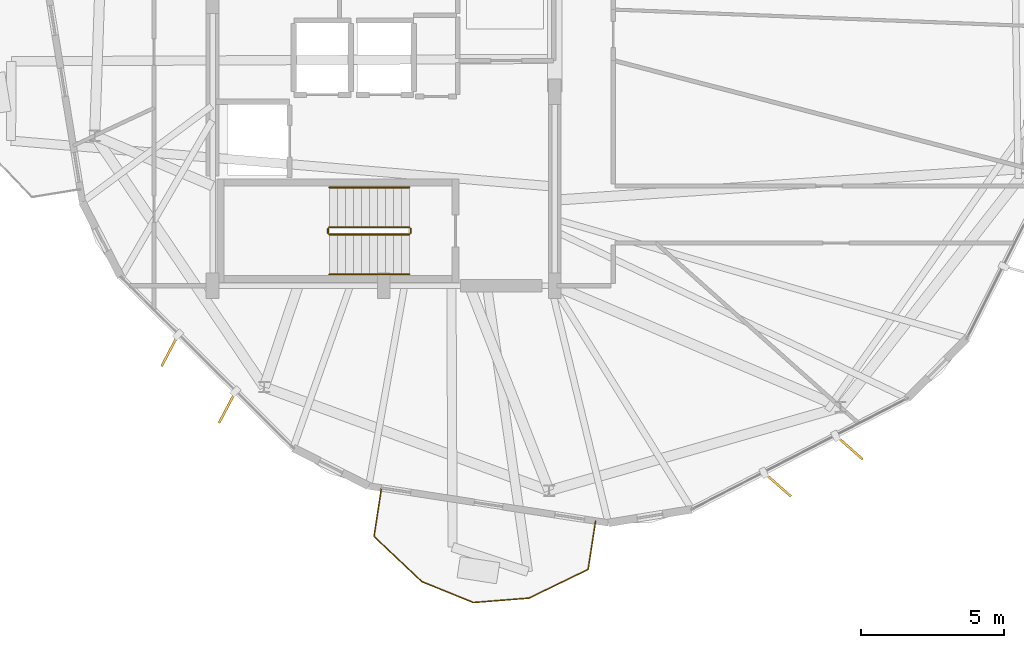
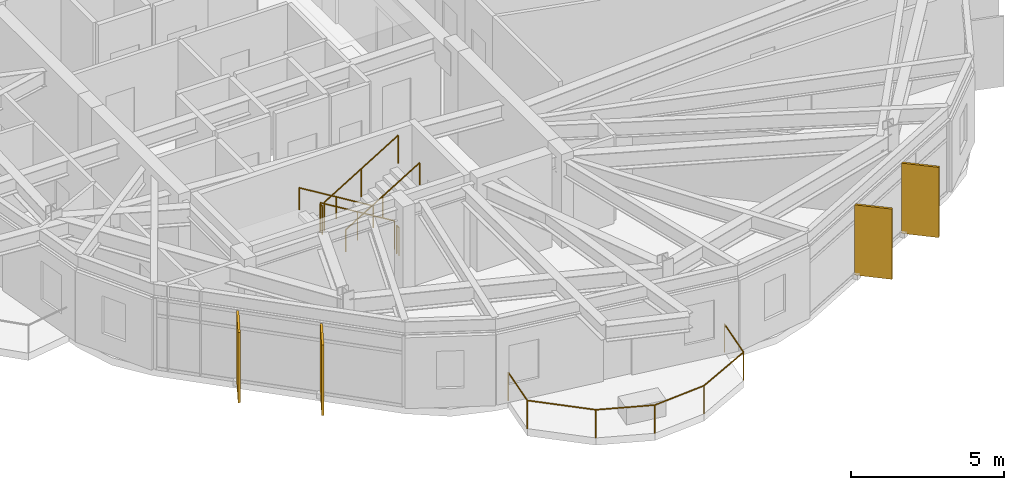
# One storey, part 20 of 22: 7 railings, 4 shading devices.
"""IFC4 building model written with IfcOpenShell, lengths in metres."""

from ifc_helpers import new_model, si_unit, direction, frame, origin, origin_2d, place, context, subcontext, project, spatial, rectangle, circle, extrude, material, layer, layer_set, type_object, element, save


model = new_model("IFC4")

# Units and contexts
model_context = context("Model", 3, precision=1e-05, world=origin(), true_north=direction((0.0, 1.0)))
body_context = subcontext(model_context, "Body", "Model", "MODEL_VIEW")
ifc_project = project(units=[si_unit("LENGTHUNIT", "METRE"), si_unit("AREAUNIT", "SQUARE_METRE"), si_unit("VOLUMEUNIT", "CUBIC_METRE"), si_unit("PLANEANGLEUNIT", "RADIAN"), si_unit("MASSUNIT", "GRAM", prefix="KILO")], contexts=[model_context])

# Site, building, storey
site_placement = place(None, origin())
site = spatial("IfcSite", under=ifc_project, at=site_placement, CompositionType="ELEMENT")
building_placement = place(site_placement, origin())
building = spatial("IfcBuilding", under=site, at=building_placement, Name="Soratama Intermodal Tower", CompositionType="ELEMENT")
storey_placement = place(building_placement, frame((0.0, 0.0, 265.0)))
storey = spatial("IfcBuildingStorey", under=building, at=storey_placement, Name="L67", CompositionType="ELEMENT", Elevation=265.0)

# Railings
ifc_material_1 = material(Name="Laminated glass and stainless steel balustrade", Category="steel")
railing_type_1 = type_object("IfcRailingType", Name="RL-BAL-1150", PredefinedType="BALUSTRADE", material=ifc_material_1)
railing_1_placement = place(storey_placement, frame((46.032470703125, 6.75, 0.0)))
element("IfcRailing", 1, at=railing_1_placement, inside=storey, type_object=railing_type_1, Name="L67 Balcony Balustrade 3", PredefinedType="BALUSTRADE", context=body_context, shape_type="SweptSolid", body=[
    extrude(circle(Radius=0.02392578125, at=origin_2d()), frame((0.0, 0.0, 1.1259765625), z_axis=(-0.152302499252, -0.988333925716, 0.0), x_axis=(0.988333925716, -0.152302499252, 0.0)), (0.0, 0.0, 1.0), 1.719970703125),
    extrude(circle(Radius=0.02392578125, at=origin_2d()), frame((-0.261962890625, -1.699951171875, 1.1259765625), z_axis=(-0.899962520615, -0.435967271122, 0.0), x_axis=(0.435967271122, -0.899962520615, 0.0)), (0.0, 0.0, 1.0), 2.308349609375),
    extrude(circle(Radius=0.02392578125, at=origin_2d()), frame((-2.33935546875, -2.706298828125, 1.1259765625), z_axis=(-0.996871495553, -0.07903936585, 0.0), x_axis=(0.07903936585, -0.996871495553, 0.0)), (0.0, 0.0, 1.0), 1.9521484375),
    extrude(circle(Radius=0.02392578125, at=origin_2d()), frame((-4.285400390625, -2.860595703125, 1.1259765625), z_axis=(-0.926820438394, 0.375504826834, 0.0), x_axis=(-0.375504826834, -0.926820438394, 0.0)), (0.0, 0.0, 1.0), 1.952392578125),
    extrude(circle(Radius=0.02392578125, at=origin_2d()), frame((-6.094970703125, -2.12744140625, 1.1259765625), z_axis=(-0.726969151395, 0.686670119432, 0.0), x_axis=(-0.686670119432, -0.726969151395, 0.0)), (0.0, 0.0, 1.0), 2.30810546875),
    extrude(circle(Radius=0.02392578125, at=origin_2d()), frame((-7.77294921875, -0.54248046875, 1.1259765625), z_axis=(0.152302499252, 0.988333925716, 0.0), x_axis=(-0.988333925716, 0.152302499252, 0.0)), (0.0, 0.0, 1.0), 1.719970703125),
    extrude(circle(Radius=0.02099609375, at=origin_2d()), origin(), (0.0, 0.0, 1.0), 1.101806640625),
    extrude(circle(Radius=0.02099609375, at=origin_2d()), frame((-0.261962890625, -1.699951171875, 0.0)), (0.0, 0.0, 1.0), 1.101806640625),
    extrude(circle(Radius=0.02099609375, at=origin_2d()), frame((-2.33935546875, -2.706298828125, 0.0)), (0.0, 0.0, 1.0), 1.101806640625),
    extrude(circle(Radius=0.02099609375, at=origin_2d()), frame((-4.285400390625, -2.860595703125, 0.0)), (0.0, 0.0, 1.0), 1.101806640625),
    extrude(circle(Radius=0.02099609375, at=origin_2d()), frame((-6.094970703125, -2.12744140625, 0.0)), (0.0, 0.0, 1.0), 1.101806640625),
    extrude(circle(Radius=0.02099609375, at=origin_2d()), frame((-7.77294921875, -0.54248046875, 0.0)), (0.0, 0.0, 1.0), 1.101806640625),
    extrude(circle(Radius=0.02099609375, at=origin_2d()), frame((-7.510986328125, 1.157470703125, 0.0)), (0.0, 0.0, 1.0), 1.101806640625),
])
ifc_material_2 = material(Name="Painted steel stair guardrail", Category="steel")
railing_type_2 = type_object("IfcRailingType", Name="RL-STAIR-GUARD", PredefinedType="GUARDRAIL", material=ifc_material_2)
railing_2_placement = place(storey_placement, frame((39.5, 17.050048828125, 0.17041015625)))
element("IfcRailing", 2, at=railing_2_placement, inside=storey, type_object=railing_type_2, Name="L67 ST-1 stair guard 1", PredefinedType="GUARDRAIL", context=body_context, shape_type="SweptSolid", body=[
    extrude(circle(Radius=0.02392578125, at=origin_2d()), frame((0.0, 0.0, 1.1259765625), z_axis=(-0.854169791009, 0.0, 0.51999420009), x_axis=(0.0, -1.0, 0.0)), (0.0, 0.0, 1.0), 3.278076171875),
    extrude(circle(Radius=0.02099609375, at=origin_2d()), origin(), (0.0, 0.0, 1.0), 1.101806640625),
    extrude(circle(Radius=0.02099609375, at=origin_2d()), frame((-1.39990234375, 0.0, 0.852294921875)), (0.0, 0.0, 1.0), 1.101806640625),
    extrude(circle(Radius=0.02099609375, at=origin_2d()), frame((-2.800048828125, 0.0, 1.70458984375)), (0.0, 0.0, 1.0), 1.101806640625),
])
railing_3_placement = place(storey_placement, frame((36.64990234375, 17.0, 1.875)))
element("IfcRailing", 3, at=railing_3_placement, inside=storey, type_object=railing_type_2, Name="L67 ST-1 stair guard 2", PredefinedType="GUARDRAIL", context=body_context, shape_type="SweptSolid", body=[
    extrude(circle(Radius=0.02392578125, at=origin_2d()), frame((0.0, 0.0, 1.1259765625), z_axis=(0.0, -1.0, 0.0), x_axis=(1.0, 0.0, 0.0)), (0.0, 0.0, 1.0), 0.14990234375),
    extrude(circle(Radius=0.02099609375, at=origin_2d()), origin(), (0.0, 0.0, 1.0), 1.101806640625),
    extrude(circle(Radius=0.02099609375, at=origin_2d()), frame((0.0, -0.14990234375, 0.0)), (0.0, 0.0, 1.0), 1.101806640625),
])
railing_4_placement = place(storey_placement, frame((36.699951171875, 16.800048828125, 2.04541015625)))
element("IfcRailing", 4, at=railing_4_placement, inside=storey, type_object=railing_type_2, Name="L67 ST-1 stair guard 3", PredefinedType="GUARDRAIL", context=body_context, shape_type="SweptSolid", body=[
    extrude(circle(Radius=0.02392578125, at=origin_2d()), frame((0.0, 0.0, 1.1259765625), z_axis=(0.854169791009, 0.0, 0.51999420009), x_axis=(0.0, 1.0, 0.0)), (0.0, 0.0, 1.0), 3.278076171875),
    extrude(circle(Radius=0.02099609375, at=origin_2d()), origin(), (0.0, 0.0, 1.0), 1.101806640625),
    extrude(circle(Radius=0.02099609375, at=origin_2d()), frame((1.39990234375, 0.0, 0.852294921875)), (0.0, 0.0, 1.0), 1.101806640625),
    extrude(circle(Radius=0.02099609375, at=origin_2d()), frame((2.800048828125, 0.0, 1.70458984375)), (0.0, 0.0, 1.0), 1.101806640625),
])
railing_5_placement = place(storey_placement, frame((39.550048828125, 17.0, 0.0)))
element("IfcRailing", 5, at=railing_5_placement, inside=storey, type_object=railing_type_2, Name="L67 ST-1 stair guard 4", PredefinedType="GUARDRAIL", context=body_context, shape_type="SweptSolid", body=[
    extrude(circle(Radius=0.02392578125, at=origin_2d()), frame((0.0, 0.0, 1.1259765625), z_axis=(0.0, -1.0, 0.0), x_axis=(1.0, 0.0, 0.0)), (0.0, 0.0, 1.0), 0.14990234375),
    extrude(circle(Radius=0.02099609375, at=origin_2d()), origin(), (0.0, 0.0, 1.0), 1.101806640625),
    extrude(circle(Radius=0.02099609375, at=origin_2d()), frame((0.0, -0.14990234375, 0.0)), (0.0, 0.0, 1.0), 1.101806640625),
])
ifc_material_3 = material(Name="Brushed stainless steel handrail", Category="steel")
railing_type_3 = type_object("IfcRailingType", Name="RL-STAIR-HAND", PredefinedType="HANDRAIL", material=ifc_material_3)
railing_6_placement = place(storey_placement, frame((39.5, 18.449951171875, 0.17041015625)))
element("IfcRailing", 6, at=railing_6_placement, inside=storey, type_object=railing_type_3, Name="L67 ST-1 stair handrail 1", PredefinedType="HANDRAIL", context=body_context, shape_type="SweptSolid", body=[
    extrude(circle(Radius=0.02392578125, at=origin_2d()), frame((0.0, 0.0, 0.8759765625), z_axis=(-0.854169791009, 0.0, 0.51999420009), x_axis=(0.0, -1.0, 0.0)), (0.0, 0.0, 1.0), 3.278076171875),
    extrude(circle(Radius=0.02099609375, at=origin_2d()), origin(), (0.0, 0.0, 1.0), 0.851806640625),
    extrude(circle(Radius=0.02099609375, at=origin_2d()), frame((-1.39990234375, 0.0, 0.852294921875)), (0.0, 0.0, 1.0), 0.851806640625),
    extrude(circle(Radius=0.02099609375, at=origin_2d()), frame((-2.800048828125, 0.0, 1.70458984375)), (0.0, 0.0, 1.0), 0.851806640625),
])
railing_7_placement = place(storey_placement, frame((36.699951171875, 15.39990234375, 2.04541015625)))
element("IfcRailing", 7, at=railing_7_placement, inside=storey, type_object=railing_type_3, Name="L67 ST-1 stair handrail 2", PredefinedType="HANDRAIL", context=body_context, shape_type="SweptSolid", body=[
    extrude(circle(Radius=0.02392578125, at=origin_2d()), frame((0.0, 0.0, 0.8759765625), z_axis=(0.854169791009, 0.0, 0.51999420009), x_axis=(0.0, 1.0, 0.0)), (0.0, 0.0, 1.0), 3.278076171875),
    extrude(circle(Radius=0.02099609375, at=origin_2d()), origin(), (0.0, 0.0, 1.0), 0.851806640625),
    extrude(circle(Radius=0.02099609375, at=origin_2d()), frame((1.39990234375, 0.0, 0.852294921875)), (0.0, 0.0, 1.0), 0.851806640625),
    extrude(circle(Radius=0.02099609375, at=origin_2d()), frame((2.800048828125, 0.0, 1.70458984375)), (0.0, 0.0, 1.0), 0.851806640625),
])

# Shading devices
ifc_material_4 = material(Name="Champagne anodised aluminium solar fin", Category="aluminium")
ifc_layer = layer(ifc_material_4, 0.080078125)
ifc_layer_set = layer_set([ifc_layer], Name="Champagne anodised aluminium solar fin")
shading_device_type = type_object("IfcShadingDeviceType", Name="SH-FIN-1250", PredefinedType="USERDEFINED", material=ifc_layer_set)
for number, where, z_axis, x_axis, name in (
    (8, (31.103515625, 12.731201171875, 0.02001953125), (0.0, 0.0, 1.0), (-0.466232244732, -0.884662361566, 0.0), "L67 Solar Fin F05-1"),
    (9, (33.115234375, 10.736083984375, 0.02001953125), (0.0, 0.0, 1.0), (-0.466232244732, -0.884662361566, 0.0), "L67 Solar Fin F05-2"),
    (10, (52.408447265625, 8.0283203125, 0.02001953125), (0.0, 0.0, 1.0), (0.750341865315, -0.661049986881, 0.0), "L67 Solar Fin F07-1"),
    (11, (54.927490234375, 9.3251953125, 0.02001953125), (0.0, 0.0, 1.0), (0.750341865315, -0.661049986881, 0.0), "L67 Solar Fin F07-2"),
):
    element("IfcShadingDevice", number, at=place(storey_placement, frame(where, z_axis=z_axis, x_axis=x_axis)), inside=storey, type_object=shading_device_type, Name=name, ObjectType="FIN", PredefinedType="USERDEFINED", context=body_context, shape_type="SweptSolid", body=[
        extrude(rectangle(XDim=1.25, YDim=0.080078125, at=origin_2d()), origin(), (0.0, 0.0, 1.0), 2.80908203125),
    ])

save(model, "model.ifc")
